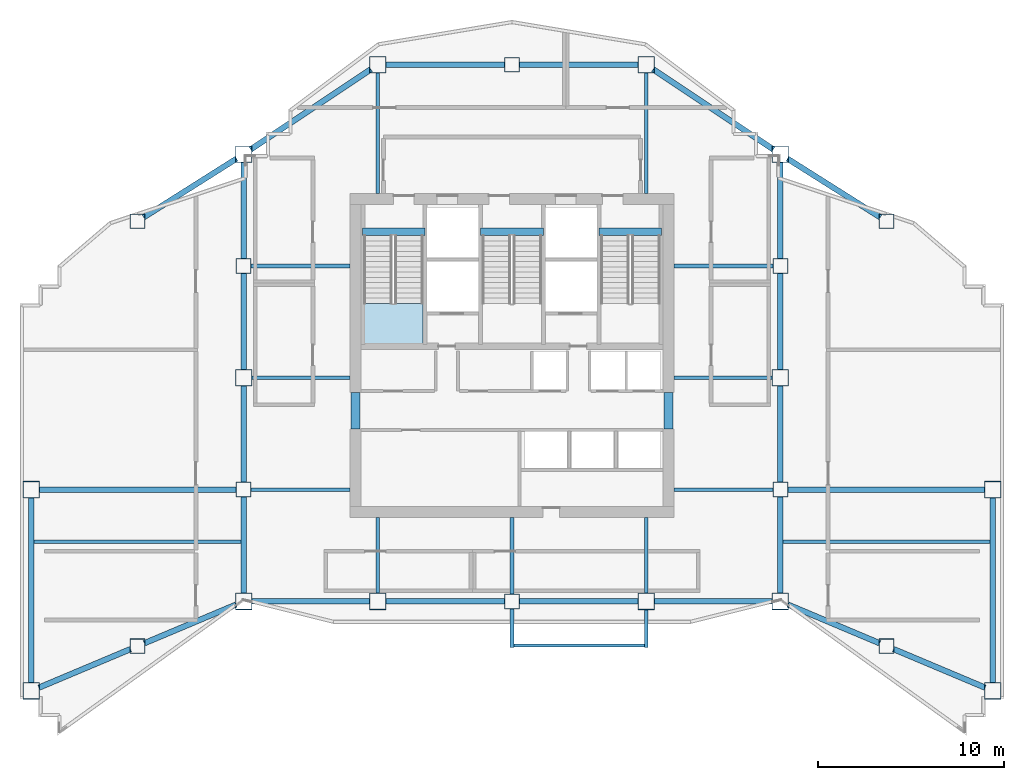
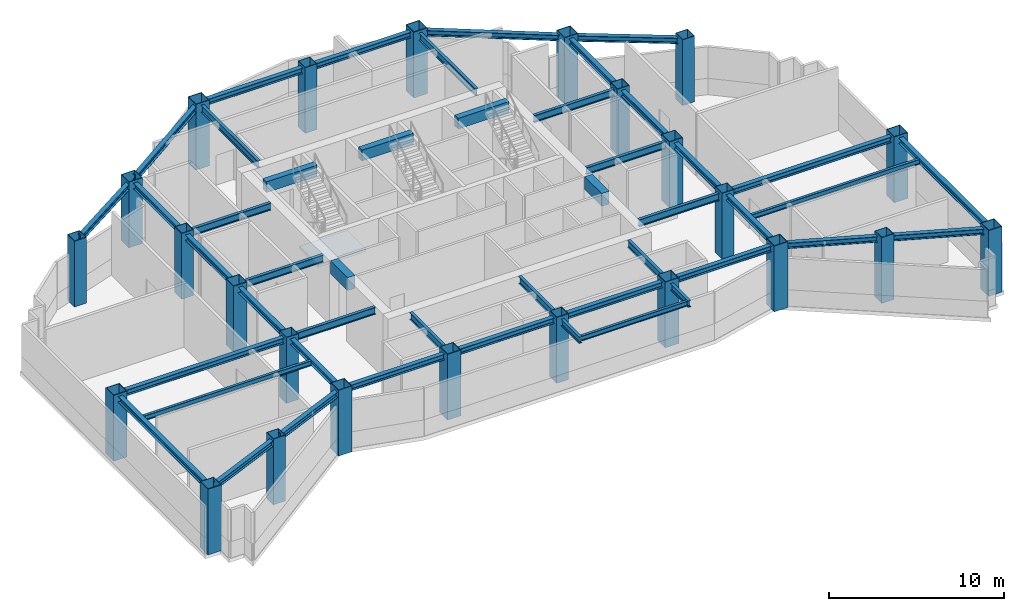
# One storey, part 1 of 9: 47 beams, 24 columns, 1 slab, 1 element without a shape of its own.
"""IFC4 building model written with IfcOpenShell, lengths in metres."""

from ifc_helpers import new_model, si_unit, direction, frame, origin, origin_2d, place, context, subcontext, project, spatial, polyline, rectangle, hollow_rectangle, i_section, outline, extrude, material, layer, layer_set, material_profile, profile_set, type_object, element, aggregate, save


model = new_model("IFC4")

# Units and contexts
model_context = context("Model", 3, precision=1e-05, world=origin(), true_north=direction((0.0, 1.0)))
body_context = subcontext(model_context, "Body", "Model", "MODEL_VIEW")
ifc_project = project(units=[si_unit("LENGTHUNIT", "METRE"), si_unit("AREAUNIT", "SQUARE_METRE"), si_unit("VOLUMEUNIT", "CUBIC_METRE"), si_unit("PLANEANGLEUNIT", "RADIAN"), si_unit("MASSUNIT", "GRAM", prefix="KILO")], contexts=[model_context])

# Site, building, storey
site_placement = place(None, origin())
site = spatial("IfcSite", under=ifc_project, at=site_placement, CompositionType="ELEMENT")
building_placement = place(site_placement, origin())
building = spatial("IfcBuilding", under=site, at=building_placement, Name="Haolan Belvedere Tower", CompositionType="ELEMENT")
storey_placement = place(building_placement, frame((0.0, 0.0, 207.0)))
storey = spatial("IfcBuildingStorey", under=building, at=storey_placement, Name="L52", CompositionType="ELEMENT", Elevation=207.0)

# Columns
ifc_material_1 = material(Name="Steel Q390GJC", Category="steel")
ifc_material_profile_1 = material_profile(ifc_material_1, hollow_rectangle(XDim=0.800048828125, YDim=0.800048828125, WallThickness=0.030029296875, at=origin_2d()), Name="Steel Q390GJC")
ifc_profile_set_1 = profile_set([ifc_material_profile_1], Name="Steel Q390GJC")
column_type_1 = type_object("IfcColumnType", Name="COL-BOX800x800x30", PredefinedType="COLUMN", material=ifc_profile_set_1)
for number, where, z_axis, x_axis, name in (
    (1, (24.0, 27.60009765625, 0.0), (0.0, 0.0, 1.0), (1.0, 0.0, 0.0), "L52 column TC-T3-W1 (BOX800x800x30)"),
    (2, (24.0, 39.60009765625, 0.0), (0.0, 0.0, 1.0), (1.0, 0.0, 0.0), "L52 column TC-T3-W2 (BOX800x800x30)"),
    (3, (52.800048828125, 27.60009765625, 0.0), (0.0, 0.0, 1.0), (1.0, 0.0, 0.0), "L52 column TC-T3-E1 (BOX800x800x30)"),
    (4, (52.800048828125, 39.60009765625, 0.0), (0.0, 0.0, 1.0), (1.0, 0.0, 0.0), "L52 column TC-T3-E2 (BOX800x800x30)"),
    (5, (38.39990234375, 21.60009765625, 0.0), (0.0, 0.0, 1.0), (1.0, 0.0, 0.0), "L52 column TC-T3-SM (BOX800x800x30)"),
    (6, (38.39990234375, 50.39990234375, 0.0), (0.0, 0.0, 1.0), (1.0, 0.0, 0.0), "L52 column TC-T3-NM (BOX800x800x30)"),
    (7, (18.300048828125, 19.199951171875, 0.0), (0.0, 0.0, 1.0), (1.0, 0.0, 0.0), "L52 column TC-T2-S1 (BOX800x800x30)"),
    (8, (18.300048828125, 42.0, 0.0), (0.0, 0.0, 1.0), (1.0, 0.0, 0.0), "L52 column TC-T2-N1 (BOX800x800x30)"),
    (9, (58.5, 19.199951171875, 0.0), (0.0, 0.0, 1.0), (1.0, 0.0, 0.0), "L52 column TC-T4-S1 (BOX800x800x30)"),
    (10, (58.5, 42.0, 0.0), (0.0, 0.0, 1.0), (1.0, 0.0, 0.0), "L52 column TC-T4-N1 (BOX800x800x30)"),
):
    element("IfcColumn", number, at=place(storey_placement, frame(where, z_axis=z_axis, x_axis=x_axis)), inside=storey, type_object=column_type_1, Name=name, PredefinedType="COLUMN", context=body_context, shape_type="SweptSolid", body=[
        extrude(hollow_rectangle(XDim=0.800048828125, YDim=0.800048828125, WallThickness=0.030029296875, at=origin_2d()), origin(), (0.0, 0.0, 1.0), 4.60009765625),
    ])
ifc_material_profile_2 = material_profile(ifc_material_1, hollow_rectangle(XDim=0.89990234375, YDim=0.89990234375, WallThickness=0.033935546875, at=origin_2d()), Name="Steel Q390GJC")
ifc_profile_set_2 = profile_set([ifc_material_profile_2], Name="Steel Q390GJC")
column_type_2 = type_object("IfcColumnType", Name="COL-BOX900x900x34", PredefinedType="COLUMN", material=ifc_profile_set_2)
for number, where, z_axis, x_axis, name in (
    (11, (24.0, 21.60009765625, 0.0), (0.0, 0.0, 1.0), (1.0, 0.0, 0.0), "L52 column MC-T3-SW (BOX900x900x34)"),
    (12, (24.0, 33.60009765625, 0.0), (0.0, 0.0, 1.0), (1.0, 0.0, 0.0), "L52 column MC-T3-MW (BOX900x900x34)"),
    (13, (24.0, 45.60009765625, 0.0), (0.0, 0.0, 1.0), (1.0, 0.0, 0.0), "L52 column MC-T3-NW (BOX900x900x34)"),
    (14, (52.800048828125, 21.60009765625, 0.0), (0.0, 0.0, 1.0), (1.0, 0.0, 0.0), "L52 column MC-T3-SE (BOX900x900x34)"),
    (15, (52.800048828125, 33.60009765625, 0.0), (0.0, 0.0, 1.0), (1.0, 0.0, 0.0), "L52 column MC-T3-ME (BOX900x900x34)"),
    (16, (52.800048828125, 45.60009765625, 0.0), (0.0, 0.0, 1.0), (1.0, 0.0, 0.0), "L52 column MC-T3-NE (BOX900x900x34)"),
    (17, (31.199951171875, 21.60009765625, 0.0), (0.0, 0.0, 1.0), (1.0, 0.0, 0.0), "L52 column MC-T3-S1 (BOX900x900x34)"),
    (18, (45.60009765625, 21.60009765625, 0.0), (0.0, 0.0, 1.0), (1.0, 0.0, 0.0), "L52 column MC-T3-S2 (BOX900x900x34)"),
    (19, (31.199951171875, 50.39990234375, 0.0), (0.0, 0.0, 1.0), (1.0, 0.0, 0.0), "L52 column MC-T3-N1 (BOX900x900x34)"),
    (20, (45.60009765625, 50.39990234375, 0.0), (0.0, 0.0, 1.0), (1.0, 0.0, 0.0), "L52 column MC-T3-N2 (BOX900x900x34)"),
    (21, (12.60009765625, 16.800048828125, 0.0), (0.0, 0.0, 1.0), (1.0, 0.0, 0.0), "L52 column MC-T2-SW (BOX900x900x34)"),
    (22, (12.60009765625, 27.60009765625, 0.0), (0.0, 0.0, 1.0), (1.0, 0.0, 0.0), "L52 column MC-T2-MW (BOX900x900x34)"),
    (23, (64.199951171875, 16.800048828125, 0.0), (0.0, 0.0, 1.0), (1.0, 0.0, 0.0), "L52 column MC-T4-SE (BOX900x900x34)"),
    (24, (64.199951171875, 27.60009765625, 0.0), (0.0, 0.0, 1.0), (1.0, 0.0, 0.0), "L52 column MC-T4-ME (BOX900x900x34)"),
):
    element("IfcColumn", number, at=place(storey_placement, frame(where, z_axis=z_axis, x_axis=x_axis)), inside=storey, type_object=column_type_2, Name=name, PredefinedType="COLUMN", context=body_context, shape_type="SweptSolid", body=[
        extrude(hollow_rectangle(XDim=0.89990234375, YDim=0.89990234375, WallThickness=0.033935546875, at=origin_2d()), origin(), (0.0, 0.0, 1.0), 4.60009765625),
    ])

# Beams
ifc_material_2 = material(Name="Steel Q355B", Category="steel")
ifc_material_profile_3 = material_profile(ifc_material_2, i_section(OverallWidth=0.300048828125, OverallDepth=0.389892578125, WebThickness=0.010009765625, FlangeThickness=0.01611328125, FilletRadius=0.02197265625, at=origin_2d()), Name="Steel Q355B")
ifc_profile_set_3 = profile_set([ifc_material_profile_3], Name="Steel Q355B")
beam_type_1 = type_object("IfcBeamType", Name="BM-HM390x300x10x16", PredefinedType="SPANDREL", material=ifc_profile_set_3)
for number, where, z_axis, x_axis, name in (
    (25, (24.0, 22.050048828125, 4.22509765625), (0.0, 1.0, 0.0), (-1.0, 0.0, 0.0), "L52 spandrel girder MC-T3-SW-TC-T3-W1"),
    (26, (24.0, 28.0, 4.22509765625), (0.0, 1.0, 0.0), (-1.0, 0.0, 0.0), "L52 spandrel girder TC-T3-W1-MC-T3-MW"),
    (27, (24.0, 34.050048828125, 4.22509765625), (0.0, 1.0, 0.0), (-1.0, 0.0, 0.0), "L52 spandrel girder MC-T3-MW-TC-T3-W2"),
    (28, (24.0, 40.0, 4.22509765625), (0.0, 1.0, 0.0), (-1.0, 0.0, 0.0), "L52 spandrel girder TC-T3-W2-MC-T3-NW"),
    (29, (52.800048828125, 22.050048828125, 4.22509765625), (0.0, 1.0, 0.0), (-1.0, 0.0, 0.0), "L52 spandrel girder MC-T3-SE-TC-T3-E1"),
    (30, (52.800048828125, 28.0, 4.22509765625), (0.0, 1.0, 0.0), (-1.0, 0.0, 0.0), "L52 spandrel girder TC-T3-E1-MC-T3-ME"),
    (31, (52.800048828125, 34.050048828125, 4.22509765625), (0.0, 1.0, 0.0), (-1.0, 0.0, 0.0), "L52 spandrel girder MC-T3-ME-TC-T3-E2"),
    (32, (52.800048828125, 40.0, 4.22509765625), (0.0, 1.0, 0.0), (-1.0, 0.0, 0.0), "L52 spandrel girder TC-T3-E2-MC-T3-NE"),
):
    element("IfcBeam", number, at=place(storey_placement, frame(where, z_axis=z_axis, x_axis=x_axis)), inside=storey, type_object=beam_type_1, Name=name, PredefinedType="SPANDREL", context=body_context, shape_type="SweptSolid", body=[
        extrude(i_section(OverallWidth=0.300048828125, OverallDepth=0.389892578125, WebThickness=0.010009765625, FlangeThickness=0.01611328125, FilletRadius=0.02197265625, at=origin_2d()), origin(), (0.0, 0.0, 1.0), 5.14990234375),
    ])
beam_1_placement = place(storey_placement, frame((24.449951171875, 21.60009765625, 4.22509765625), z_axis=(1.0, 0.0, 0.0), x_axis=(0.0, 1.0, 0.0)))
element("IfcBeam", 33, at=beam_1_placement, inside=storey, type_object=beam_type_1, Name="L52 spandrel girder MC-T3-SW-MC-T3-S1", PredefinedType="SPANDREL", context=body_context, shape_type="SweptSolid", body=[
    extrude(i_section(OverallWidth=0.300048828125, OverallDepth=0.389892578125, WebThickness=0.010009765625, FlangeThickness=0.01611328125, FilletRadius=0.02197265625, at=origin_2d()), origin(), (0.0, 0.0, 1.0), 6.300048828125),
])
beam_2_placement = place(storey_placement, frame((31.64990234375, 21.60009765625, 4.22509765625), z_axis=(1.0, 0.0, 0.0), x_axis=(0.0, 1.0, 0.0)))
element("IfcBeam", 34, at=beam_2_placement, inside=storey, type_object=beam_type_1, Name="L52 spandrel girder MC-T3-S1-TC-T3-SM", PredefinedType="SPANDREL", context=body_context, shape_type="SweptSolid", body=[
    extrude(i_section(OverallWidth=0.300048828125, OverallDepth=0.389892578125, WebThickness=0.010009765625, FlangeThickness=0.01611328125, FilletRadius=0.02197265625, at=origin_2d()), origin(), (0.0, 0.0, 1.0), 6.35009765625),
])
beam_3_placement = place(storey_placement, frame((38.800048828125, 21.60009765625, 4.22509765625), z_axis=(1.0, 0.0, 0.0), x_axis=(0.0, 1.0, 0.0)))
element("IfcBeam", 35, at=beam_3_placement, inside=storey, type_object=beam_type_1, Name="L52 spandrel girder TC-T3-SM-MC-T3-S2", PredefinedType="SPANDREL", context=body_context, shape_type="SweptSolid", body=[
    extrude(i_section(OverallWidth=0.300048828125, OverallDepth=0.389892578125, WebThickness=0.010009765625, FlangeThickness=0.01611328125, FilletRadius=0.02197265625, at=origin_2d()), origin(), (0.0, 0.0, 1.0), 6.349853515625),
])
beam_4_placement = place(storey_placement, frame((46.050048828125, 21.60009765625, 4.22509765625), z_axis=(1.0, 0.0, 0.0), x_axis=(0.0, 1.0, 0.0)))
element("IfcBeam", 36, at=beam_4_placement, inside=storey, type_object=beam_type_1, Name="L52 spandrel girder MC-T3-S2-MC-T3-SE", PredefinedType="SPANDREL", context=body_context, shape_type="SweptSolid", body=[
    extrude(i_section(OverallWidth=0.300048828125, OverallDepth=0.389892578125, WebThickness=0.010009765625, FlangeThickness=0.01611328125, FilletRadius=0.02197265625, at=origin_2d()), origin(), (0.0, 0.0, 1.0), 6.300048828125),
])
beam_5_placement = place(storey_placement, frame((24.37451171875, 45.849609375, 4.22509765625), z_axis=(0.832050294338, 0.554700196225, 0.0), x_axis=(-0.554700196225, 0.832050294338, 0.0)))
element("IfcBeam", 37, at=beam_5_placement, inside=storey, type_object=beam_type_1, Name="L52 spandrel girder MC-T3-NW-MC-T3-N1", PredefinedType="SPANDREL", context=body_context, shape_type="SweptSolid", body=[
    extrude(i_section(OverallWidth=0.300048828125, OverallDepth=0.389892578125, WebThickness=0.010009765625, FlangeThickness=0.01611328125, FilletRadius=0.02197265625, at=origin_2d()), origin(), (0.0, 0.0, 1.0), 7.75341796875),
])
beam_6_placement = place(storey_placement, frame((31.64990234375, 50.39990234375, 4.22509765625), z_axis=(1.0, 0.0, 0.0), x_axis=(0.0, 1.0, 0.0)))
element("IfcBeam", 38, at=beam_6_placement, inside=storey, type_object=beam_type_1, Name="L52 spandrel girder MC-T3-N1-TC-T3-NM", PredefinedType="SPANDREL", context=body_context, shape_type="SweptSolid", body=[
    extrude(i_section(OverallWidth=0.300048828125, OverallDepth=0.389892578125, WebThickness=0.010009765625, FlangeThickness=0.01611328125, FilletRadius=0.02197265625, at=origin_2d()), origin(), (0.0, 0.0, 1.0), 6.35009765625),
])
beam_7_placement = place(storey_placement, frame((38.800048828125, 50.39990234375, 4.22509765625), z_axis=(1.0, 0.0, 0.0), x_axis=(0.0, 1.0, 0.0)))
element("IfcBeam", 39, at=beam_7_placement, inside=storey, type_object=beam_type_1, Name="L52 spandrel girder TC-T3-NM-MC-T3-N2", PredefinedType="SPANDREL", context=body_context, shape_type="SweptSolid", body=[
    extrude(i_section(OverallWidth=0.300048828125, OverallDepth=0.389892578125, WebThickness=0.010009765625, FlangeThickness=0.01611328125, FilletRadius=0.02197265625, at=origin_2d()), origin(), (0.0, 0.0, 1.0), 6.349853515625),
])
beam_8_placement = place(storey_placement, frame((45.974365234375, 50.150390625, 4.22509765625), z_axis=(0.832050294338, -0.554700196225, 0.0), x_axis=(0.554700196225, 0.832050294338, 0.0)))
element("IfcBeam", 40, at=beam_8_placement, inside=storey, type_object=beam_type_1, Name="L52 spandrel girder MC-T3-N2-MC-T3-NE", PredefinedType="SPANDREL", context=body_context, shape_type="SweptSolid", body=[
    extrude(i_section(OverallWidth=0.300048828125, OverallDepth=0.389892578125, WebThickness=0.010009765625, FlangeThickness=0.01611328125, FilletRadius=0.02197265625, at=origin_2d()), origin(), (0.0, 0.0, 1.0), 7.75341796875),
])
beam_9_placement = place(storey_placement, frame((12.60009765625, 17.25, 4.22509765625), z_axis=(0.0, 1.0, 0.0), x_axis=(-1.0, 0.0, 0.0)))
element("IfcBeam", 41, at=beam_9_placement, inside=storey, type_object=beam_type_1, Name="L52 spandrel girder MC-T2-SW-MC-T2-MW", PredefinedType="SPANDREL", context=body_context, shape_type="SweptSolid", body=[
    extrude(i_section(OverallWidth=0.300048828125, OverallDepth=0.389892578125, WebThickness=0.010009765625, FlangeThickness=0.01611328125, FilletRadius=0.02197265625, at=origin_2d()), origin(), (0.0, 0.0, 1.0), 9.89990234375),
])
beam_10_placement = place(storey_placement, frame((13.0146484375, 16.974609375, 4.22509765625), z_axis=(0.921644850741, 0.388034494733, 0.0), x_axis=(-0.388034494733, 0.921644850741, 0.0)))
element("IfcBeam", 42, at=beam_10_placement, inside=storey, type_object=beam_type_1, Name="L52 spandrel girder MC-T2-SW-TC-T2-S1", PredefinedType="SPANDREL", context=body_context, shape_type="SweptSolid", body=[
    extrude(i_section(OverallWidth=0.300048828125, OverallDepth=0.389892578125, WebThickness=0.010009765625, FlangeThickness=0.01611328125, FilletRadius=0.02197265625, at=origin_2d()), origin(), (0.0, 0.0, 1.0), 5.334716796875),
])
beam_11_placement = place(storey_placement, frame((18.668701171875, 19.355224609375, 4.22509765625), z_axis=(0.921637959557, 0.388050862006, 0.0), x_axis=(-0.388050862006, 0.921637959557, 0.0)))
element("IfcBeam", 43, at=beam_11_placement, inside=storey, type_object=beam_type_1, Name="L52 spandrel girder TC-T2-S1-MC-T3-SW", PredefinedType="SPANDREL", context=body_context, shape_type="SweptSolid", body=[
    extrude(i_section(OverallWidth=0.300048828125, OverallDepth=0.389892578125, WebThickness=0.010009765625, FlangeThickness=0.01611328125, FilletRadius=0.02197265625, at=origin_2d()), origin(), (0.0, 0.0, 1.0), 5.33447265625),
])
beam_12_placement = place(storey_placement, frame((18.63818359375, 42.213623046875, 4.22509765625), z_axis=(0.845502688092, 0.533971164417, 0.0), x_axis=(-0.533971164417, 0.845502688092, 0.0)))
element("IfcBeam", 44, at=beam_12_placement, inside=storey, type_object=beam_type_1, Name="L52 spandrel girder TC-T2-N1-MC-T3-NW", PredefinedType="SPANDREL", context=body_context, shape_type="SweptSolid", body=[
    extrude(i_section(OverallWidth=0.300048828125, OverallDepth=0.389892578125, WebThickness=0.010009765625, FlangeThickness=0.01611328125, FilletRadius=0.02197265625, at=origin_2d()), origin(), (0.0, 0.0, 1.0), 5.8916015625),
])
beam_13_placement = place(storey_placement, frame((13.050048828125, 27.60009765625, 4.22509765625), z_axis=(1.0, 0.0, 0.0), x_axis=(0.0, 1.0, 0.0)))
element("IfcBeam", 45, at=beam_13_placement, inside=storey, type_object=beam_type_1, Name="L52 spandrel girder MC-T2-MW-TC-T3-W1", PredefinedType="SPANDREL", context=body_context, shape_type="SweptSolid", body=[
    extrude(i_section(OverallWidth=0.300048828125, OverallDepth=0.389892578125, WebThickness=0.010009765625, FlangeThickness=0.01611328125, FilletRadius=0.02197265625, at=origin_2d()), origin(), (0.0, 0.0, 1.0), 10.550048828125),
])
beam_14_placement = place(storey_placement, frame((64.199951171875, 17.25, 4.22509765625), z_axis=(0.0, 1.0, 0.0), x_axis=(-1.0, 0.0, 0.0)))
element("IfcBeam", 46, at=beam_14_placement, inside=storey, type_object=beam_type_1, Name="L52 spandrel girder MC-T4-SE-MC-T4-ME", PredefinedType="SPANDREL", context=body_context, shape_type="SweptSolid", body=[
    extrude(i_section(OverallWidth=0.300048828125, OverallDepth=0.389892578125, WebThickness=0.010009765625, FlangeThickness=0.01611328125, FilletRadius=0.02197265625, at=origin_2d()), origin(), (0.0, 0.0, 1.0), 9.89990234375),
])
for number, where, z_axis, x_axis, name in (
    (47, (53.21484375, 21.42529296875, 4.22509765625), (0.921637959557, -0.388050862006, 0.0), (0.388050862006, 0.921637959557, 0.0), "L52 spandrel girder MC-T3-SE-TC-T4-S1"),
    (48, (58.86865234375, 19.044677734375, 4.22509765625), (0.921637959557, -0.388050862006, 0.0), (0.388050862006, 0.921637959557, 0.0), "L52 spandrel girder TC-T4-S1-MC-T4-SE"),
):
    element("IfcBeam", number, at=place(storey_placement, frame(where, z_axis=z_axis, x_axis=x_axis)), inside=storey, type_object=beam_type_1, Name=name, PredefinedType="SPANDREL", context=body_context, shape_type="SweptSolid", body=[
        extrude(i_section(OverallWidth=0.300048828125, OverallDepth=0.389892578125, WebThickness=0.010009765625, FlangeThickness=0.01611328125, FilletRadius=0.02197265625, at=origin_2d()), origin(), (0.0, 0.0, 1.0), 5.33447265625),
    ])
beam_15_placement = place(storey_placement, frame((53.180419921875, 45.359619140625, 4.22509765625), z_axis=(0.845502688092, -0.533971164417, 0.0), x_axis=(0.533971164417, 0.845502688092, 0.0)))
element("IfcBeam", 49, at=beam_15_placement, inside=storey, type_object=beam_type_1, Name="L52 spandrel girder MC-T3-NE-TC-T4-N1", PredefinedType="SPANDREL", context=body_context, shape_type="SweptSolid", body=[
    extrude(i_section(OverallWidth=0.300048828125, OverallDepth=0.389892578125, WebThickness=0.010009765625, FlangeThickness=0.01611328125, FilletRadius=0.02197265625, at=origin_2d()), origin(), (0.0, 0.0, 1.0), 5.8916015625),
])
beam_16_placement = place(storey_placement, frame((53.199951171875, 27.60009765625, 4.22509765625), z_axis=(1.0, 0.0, 0.0), x_axis=(0.0, 1.0, 0.0)))
element("IfcBeam", 50, at=beam_16_placement, inside=storey, type_object=beam_type_1, Name="L52 spandrel girder TC-T3-E1-MC-T4-ME", PredefinedType="SPANDREL", context=body_context, shape_type="SweptSolid", body=[
    extrude(i_section(OverallWidth=0.300048828125, OverallDepth=0.389892578125, WebThickness=0.010009765625, FlangeThickness=0.01611328125, FilletRadius=0.02197265625, at=origin_2d()), origin(), (0.0, 0.0, 1.0), 10.550048828125),
])
ifc_material_profile_4 = material_profile(ifc_material_2, i_section(OverallWidth=0.175048828125, OverallDepth=0.35009765625, WebThickness=0.007080078125, FlangeThickness=0.010986328125, FilletRadius=0.012939453125, at=origin_2d()), Name="Steel Q355B")
ifc_profile_set_4 = profile_set([ifc_material_profile_4], Name="Steel Q355B")
beam_type_2 = type_object("IfcBeamType", Name="BM-HN350x175x7x11", PredefinedType="JOIST", material=ifc_profile_set_4)
for number, where, z_axis, x_axis, name in (
    (51, (12.75, 24.800048828125, 4.2451171875), (1.0, 0.0, 0.0), (0.0, 1.0, 0.0), "L52 west wing floor joist 1"),
    (52, (52.949951171875, 24.800048828125, 4.2451171875), (1.0, 0.0, 0.0), (0.0, 1.0, 0.0), "L52 east wing floor joist 1"),
):
    element("IfcBeam", number, at=place(storey_placement, frame(where, z_axis=z_axis, x_axis=x_axis)), inside=storey, type_object=beam_type_2, Name=name, PredefinedType="JOIST", context=body_context, shape_type="SweptSolid", body=[
        extrude(i_section(OverallWidth=0.175048828125, OverallDepth=0.35009765625, WebThickness=0.007080078125, FlangeThickness=0.010986328125, FilletRadius=0.012939453125, at=origin_2d()), origin(), (0.0, 0.0, 1.0), 11.10009765625),
    ])
beam_17_placement = place(storey_placement, frame((38.5, 19.239990234375, 4.195068359375), z_axis=(1.0, 0.0, 0.0), x_axis=(0.0, 1.0, 0.0)))
element("IfcBeam", 53, at=beam_17_placement, inside=storey, type_object=beam_type_2, Name="L53 tree-balcony front trimmer beam 1", PredefinedType="BEAM", context=body_context, shape_type="SweptSolid", body=[
    extrude(i_section(OverallWidth=0.175048828125, OverallDepth=0.35009765625, WebThickness=0.007080078125, FlangeThickness=0.010986328125, FilletRadius=0.012939453125, at=origin_2d()), origin(), (0.0, 0.0, 1.0), 7.0),
])
ifc_material_profile_5 = material_profile(ifc_material_2, i_section(OverallWidth=0.199951171875, OverallDepth=0.449951171875, WebThickness=0.009033203125, FlangeThickness=0.013916015625, FilletRadius=0.01611328125, at=origin_2d()), Name="Steel Q355B")
ifc_profile_set_5 = profile_set([ifc_material_profile_5], Name="Steel Q355B")
beam_type_3 = type_object("IfcBeamType", Name="BM-HN450x200x9x14", PredefinedType="BEAM", material=ifc_profile_set_5)
beam_18_placement = place(storey_placement, frame((38.39990234375, 21.199951171875, 4.14501953125), z_axis=(0.0, -1.0, 0.0), x_axis=(1.0, 0.0, 0.0)))
element("IfcBeam", 54, at=beam_18_placement, inside=storey, type_object=beam_type_3, Name="L53 tree-balcony column cantilever TC-T3-SM", PredefinedType="BEAM", context=body_context, shape_type="SweptSolid", body=[
    extrude(i_section(OverallWidth=0.199951171875, OverallDepth=0.449951171875, WebThickness=0.009033203125, FlangeThickness=0.013916015625, FilletRadius=0.01611328125, at=origin_2d()), origin(), (0.0, 0.0, 1.0), 2.06005859375),
])
beam_19_placement = place(storey_placement, frame((45.60009765625, 21.14990234375, 4.14501953125), z_axis=(0.0, -1.0, 0.0), x_axis=(1.0, 0.0, 0.0)))
element("IfcBeam", 55, at=beam_19_placement, inside=storey, type_object=beam_type_3, Name="L53 tree-balcony column cantilever MC-T3-S2", PredefinedType="BEAM", context=body_context, shape_type="SweptSolid", body=[
    extrude(i_section(OverallWidth=0.199951171875, OverallDepth=0.449951171875, WebThickness=0.009033203125, FlangeThickness=0.013916015625, FilletRadius=0.01611328125, at=origin_2d()), origin(), (0.0, 0.0, 1.0), 2.010009765625),
])
ifc_material_profile_6 = material_profile(ifc_material_2, i_section(OverallWidth=0.199951171875, OverallDepth=0.5, WebThickness=0.010009765625, FlangeThickness=0.01611328125, FilletRadius=0.02001953125, at=origin_2d()), Name="Steel Q355B")
ifc_profile_set_6 = profile_set([ifc_material_profile_6], Name="Steel Q355B")
beam_type_4 = type_object("IfcBeamType", Name="BM-HN500x200x10x16", PredefinedType="BEAM", material=ifc_profile_set_6)
beam_20_placement = place(storey_placement, frame((24.449951171875, 33.60009765625, 4.169921875), z_axis=(1.0, 0.0, 0.0), x_axis=(0.0, 1.0, 0.0)))
element("IfcBeam", 56, at=beam_20_placement, inside=storey, type_object=beam_type_4, Name="L52 core tie beam from MC-T3-MW", PredefinedType="BEAM", context=body_context, shape_type="SweptSolid", body=[
    extrude(i_section(OverallWidth=0.199951171875, OverallDepth=0.5, WebThickness=0.010009765625, FlangeThickness=0.01611328125, FilletRadius=0.02001953125, at=origin_2d()), origin(), (0.0, 0.0, 1.0), 5.25),
])
for number, where, z_axis, x_axis, name in (
    (57, (24.39990234375, 27.60009765625, 4.169921875), (1.0, 0.0, 0.0), (0.0, 1.0, 0.0), "L52 core tie beam from TC-T3-W1"),
    (58, (24.39990234375, 39.60009765625, 4.169921875), (1.0, 0.0, 0.0), (0.0, 1.0, 0.0), "L52 core tie beam from TC-T3-W2"),
):
    element("IfcBeam", number, at=place(storey_placement, frame(where, z_axis=z_axis, x_axis=x_axis)), inside=storey, type_object=beam_type_4, Name=name, PredefinedType="BEAM", context=body_context, shape_type="SweptSolid", body=[
        extrude(i_section(OverallWidth=0.199951171875, OverallDepth=0.5, WebThickness=0.010009765625, FlangeThickness=0.01611328125, FilletRadius=0.02001953125, at=origin_2d()), origin(), (0.0, 0.0, 1.0), 5.300048828125),
    ])
beam_21_placement = place(storey_placement, frame((52.35009765625, 33.60009765625, 4.169921875), z_axis=(-1.0, 0.0, 0.0), x_axis=(0.0, -1.0, 0.0)))
element("IfcBeam", 59, at=beam_21_placement, inside=storey, type_object=beam_type_4, Name="L52 core tie beam from MC-T3-ME", PredefinedType="BEAM", context=body_context, shape_type="SweptSolid", body=[
    extrude(i_section(OverallWidth=0.199951171875, OverallDepth=0.5, WebThickness=0.010009765625, FlangeThickness=0.01611328125, FilletRadius=0.02001953125, at=origin_2d()), origin(), (0.0, 0.0, 1.0), 5.25),
])
for number, where, z_axis, x_axis, name in (
    (60, (52.39990234375, 27.60009765625, 4.169921875), (-1.0, 0.0, 0.0), (0.0, -1.0, 0.0), "L52 core tie beam from TC-T3-E1"),
    (61, (52.39990234375, 39.60009765625, 4.169921875), (-1.0, 0.0, 0.0), (0.0, -1.0, 0.0), "L52 core tie beam from TC-T3-E2"),
):
    element("IfcBeam", number, at=place(storey_placement, frame(where, z_axis=z_axis, x_axis=x_axis)), inside=storey, type_object=beam_type_4, Name=name, PredefinedType="BEAM", context=body_context, shape_type="SweptSolid", body=[
        extrude(i_section(OverallWidth=0.199951171875, OverallDepth=0.5, WebThickness=0.010009765625, FlangeThickness=0.01611328125, FilletRadius=0.02001953125, at=origin_2d()), origin(), (0.0, 0.0, 1.0), 5.2998046875),
    ])
beam_22_placement = place(storey_placement, frame((31.199951171875, 22.050048828125, 4.169921875), z_axis=(0.0, 1.0, 0.0), x_axis=(-1.0, 0.0, 0.0)))
element("IfcBeam", 62, at=beam_22_placement, inside=storey, type_object=beam_type_4, Name="L52 core tie beam from MC-T3-S1", PredefinedType="BEAM", context=body_context, shape_type="SweptSolid", body=[
    extrude(i_section(OverallWidth=0.199951171875, OverallDepth=0.5, WebThickness=0.010009765625, FlangeThickness=0.01611328125, FilletRadius=0.02001953125, at=origin_2d()), origin(), (0.0, 0.0, 1.0), 4.050048828125),
])
beam_23_placement = place(storey_placement, frame((38.39990234375, 22.0, 4.169921875), z_axis=(0.0, 1.0, 0.0), x_axis=(-1.0, 0.0, 0.0)))
element("IfcBeam", 63, at=beam_23_placement, inside=storey, type_object=beam_type_4, Name="L52 core tie beam from TC-T3-SM", PredefinedType="BEAM", context=body_context, shape_type="SweptSolid", body=[
    extrude(i_section(OverallWidth=0.199951171875, OverallDepth=0.5, WebThickness=0.010009765625, FlangeThickness=0.01611328125, FilletRadius=0.02001953125, at=origin_2d()), origin(), (0.0, 0.0, 1.0), 4.10009765625),
])
beam_24_placement = place(storey_placement, frame((45.60009765625, 22.050048828125, 4.169921875), z_axis=(0.0, 1.0, 0.0), x_axis=(-1.0, 0.0, 0.0)))
element("IfcBeam", 64, at=beam_24_placement, inside=storey, type_object=beam_type_4, Name="L52 core tie beam from MC-T3-S2", PredefinedType="BEAM", context=body_context, shape_type="SweptSolid", body=[
    extrude(i_section(OverallWidth=0.199951171875, OverallDepth=0.5, WebThickness=0.010009765625, FlangeThickness=0.01611328125, FilletRadius=0.02001953125, at=origin_2d()), origin(), (0.0, 0.0, 1.0), 4.050048828125),
])
for number, where, z_axis, x_axis, name in (
    (65, (31.199951171875, 49.949951171875, 4.169921875), (0.0, -1.0, 0.0), (1.0, 0.0, 0.0), "L52 core tie beam from MC-T3-N1"),
    (66, (45.60009765625, 49.949951171875, 4.169921875), (0.0, -1.0, 0.0), (1.0, 0.0, 0.0), "L52 core tie beam from MC-T3-N2"),
):
    element("IfcBeam", number, at=place(storey_placement, frame(where, z_axis=z_axis, x_axis=x_axis)), inside=storey, type_object=beam_type_4, Name=name, PredefinedType="BEAM", context=body_context, shape_type="SweptSolid", body=[
        extrude(i_section(OverallWidth=0.199951171875, OverallDepth=0.5, WebThickness=0.010009765625, FlangeThickness=0.01611328125, FilletRadius=0.02001953125, at=origin_2d()), origin(), (0.0, 0.0, 1.0), 6.449951171875),
    ])
ifc_material_3 = material(Name="Concrete C50/60", Category="concrete")
ifc_material_profile_7 = material_profile(ifc_material_3, rectangle(XDim=0.39990234375, YDim=0.75, at=origin_2d()), Name="Concrete C50/60")
ifc_profile_set_7 = profile_set([ifc_material_profile_7], Name="Concrete C50/60")
beam_type_5 = type_object("IfcBeamType", Name="BM-RC400x750", PredefinedType="T_BEAM", material=ifc_profile_set_7)
beam_25_placement = place(storey_placement, frame((30.3798828125, 41.429931640625, 4.22509765625), z_axis=(1.0, 0.0, 0.0), x_axis=(0.0, 1.0, 0.0)))
element("IfcBeam", 67, at=beam_25_placement, inside=storey, type_object=beam_type_5, Name="L53 stair ST1 RC header trimmer beam", PredefinedType="BEAM", context=body_context, shape_type="SweptSolid", body=[
    extrude(rectangle(XDim=0.39990234375, YDim=0.75, at=origin_2d()), origin(), (0.0, 0.0, 1.0), 3.360107421875),
])
beam_26_placement = place(storey_placement, frame((36.699951171875, 41.429931640625, 4.22509765625), z_axis=(1.0, 0.0, 0.0), x_axis=(0.0, 1.0, 0.0)))
element("IfcBeam", 68, at=beam_26_placement, inside=storey, type_object=beam_type_5, Name="L53 stair ST3 RC header trimmer beam", PredefinedType="BEAM", context=body_context, shape_type="SweptSolid", body=[
    extrude(rectangle(XDim=0.39990234375, YDim=0.75, at=origin_2d()), origin(), (0.0, 0.0, 1.0), 3.400146484375),
])
beam_27_placement = place(storey_placement, frame((43.06005859375, 41.429931640625, 4.22509765625), z_axis=(1.0, 0.0, 0.0), x_axis=(0.0, 1.0, 0.0)))
element("IfcBeam", 69, at=beam_27_placement, inside=storey, type_object=beam_type_5, Name="L53 stair ST2 RC header trimmer beam", PredefinedType="BEAM", context=body_context, shape_type="SweptSolid", body=[
    extrude(rectangle(XDim=0.39990234375, YDim=0.75, at=origin_2d()), origin(), (0.0, 0.0, 1.0), 3.35986328125),
])
ifc_material_4 = material(Name="Concrete C60/75", Category="concrete")
ifc_material_profile_8 = material_profile(ifc_material_4, rectangle(XDim=0.5, YDim=0.89990234375, at=origin_2d()), Name="Concrete C60/75")
ifc_profile_set_8 = profile_set([ifc_material_profile_8], Name="Concrete C60/75")
beam_type_6 = type_object("IfcBeamType", Name="BM-RC500x900", PredefinedType="LINTEL", material=ifc_profile_set_8)
for number, where, z_axis, x_axis, name in (
    (70, (30.0, 30.85009765625, 3.969970703125), (0.0, 1.0, 0.0), (-1.0, 0.0, 0.0), "L52 west core coupling beam CB-01"),
    (71, (46.800048828125, 30.85009765625, 3.969970703125), (0.0, 1.0, 0.0), (-1.0, 0.0, 0.0), "L52 east core coupling beam CB-01"),
):
    element("IfcBeam", number, at=place(storey_placement, frame(where, z_axis=z_axis, x_axis=x_axis)), inside=storey, type_object=beam_type_6, Name=name, PredefinedType="LINTEL", context=body_context, shape_type="SweptSolid", body=[
        extrude(rectangle(XDim=0.5, YDim=0.89990234375, at=origin_2d()), origin(), (0.0, 0.0, 1.0), 1.949951171875),
    ])

# Stair, slab
ifc_material_5 = material(Name="Concrete C40/50", Category="concrete")
stair_type = type_object("IfcStairType", Name="STR-DL-28R-164", PredefinedType="HALF_TURN_STAIR", material=ifc_material_5)
stair_placement = place(storey_placement, origin())
stair = element("IfcStair", 72, at=stair_placement, inside=storey, type_object=stair_type, Name="L52 Smokeproof Core Exit Stair ST1", PredefinedType="HALF_TURN_STAIR")
ifc_layer = layer(ifc_material_5, 0.199951171875, Name="Concrete C40/50")
ifc_layer_set = layer_set([ifc_layer], Name="Concrete C40/50")
slab_type = type_object("IfcSlabType", Name="SL-LAND-200", PredefinedType="LANDING", material=ifc_layer_set)
slab_placement = place(storey_placement, frame((0.0, 0.0, 2.10009765625)))
slab = element("IfcSlab", 73, at=slab_placement, type_object=slab_type, Name="ST1 landing 1", PredefinedType="LANDING", context=body_context, shape_type="SweptSolid", body=[
    extrude(outline(polyline([(30.449951171875, 37.590087890625), (30.449951171875, 35.449951171875), (33.6298828125, 35.449951171875), (33.6298828125, 37.590087890625), (30.449951171875, 37.590087890625)])), origin(), (0.0, 0.0, 1.0), 0.199951171875),
])
aggregate(stair, [slab])

save(model, "model.ifc")
